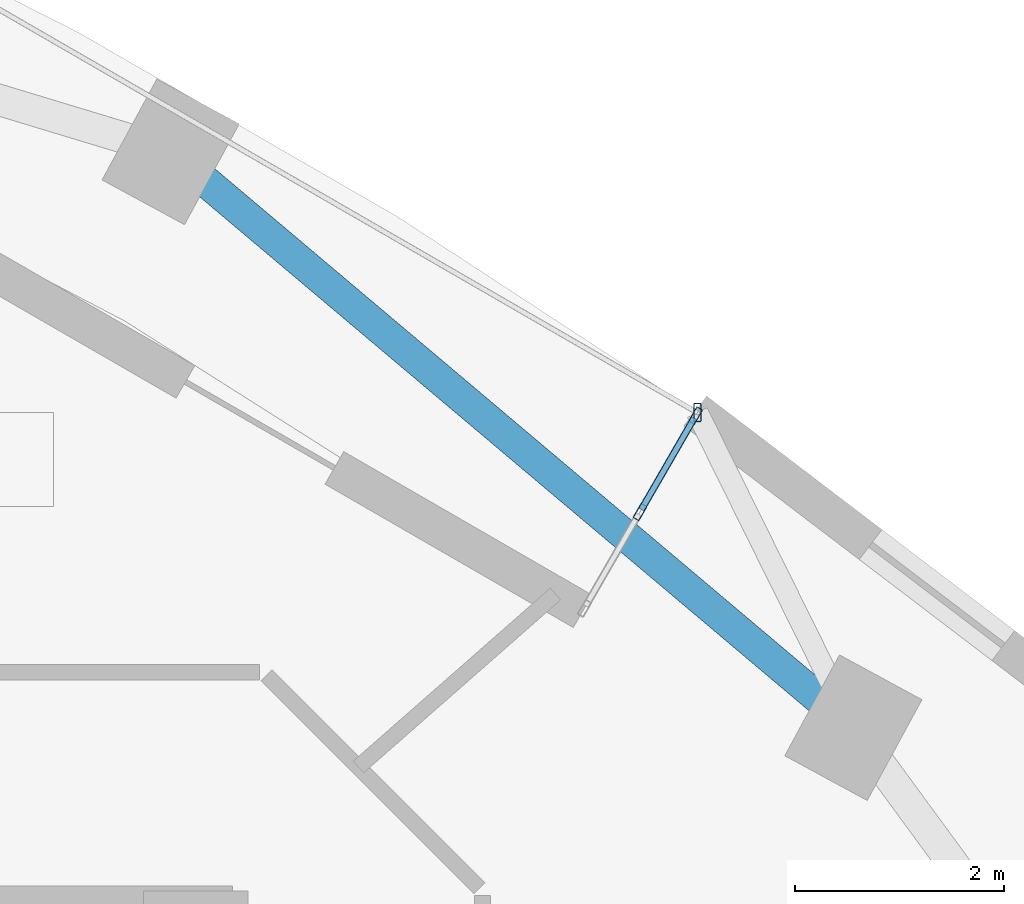
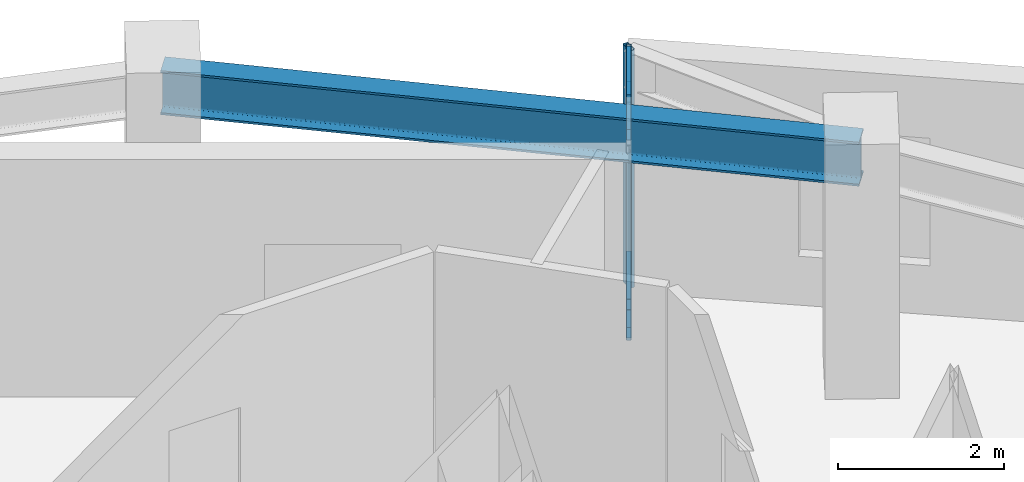
# One storey, part 5 of 14: 7 members, 1 beam, 1 element without a shape of its own.
"""IFC4 building model written with IfcOpenShell, lengths in metres."""

from ifc_helpers import new_model, si_unit, direction, frame, origin, origin_2d, place, context, subcontext, project, spatial, hollow_rectangle, i_section, extrude, material, layer, layer_set, material_profile, profile_set, type_object, element, aggregate, save


model = new_model("IFC4")

# Units and contexts
model_context = context("Model", 3, precision=1e-05, world=origin(), true_north=direction((0.0, 1.0)))
body_context = subcontext(model_context, "Body", "Model", "MODEL_VIEW")
ifc_project = project(units=[si_unit("LENGTHUNIT", "METRE"), si_unit("AREAUNIT", "SQUARE_METRE"), si_unit("VOLUMEUNIT", "CUBIC_METRE"), si_unit("PLANEANGLEUNIT", "RADIAN"), si_unit("MASSUNIT", "GRAM", prefix="KILO")], contexts=[model_context])

# Site, building, storey
site_placement = place(None, origin())
site = spatial("IfcSite", under=ifc_project, at=site_placement, CompositionType="ELEMENT")
building_placement = place(site_placement, origin())
building = spatial("IfcBuilding", under=site, at=building_placement, Name="Ndelora Gate Hotel", CompositionType="ELEMENT")
storey_placement = place(building_placement, frame((0.0, 0.0, 119.75)))
storey = spatial("IfcBuildingStorey", under=building, at=storey_placement, Name="L29", CompositionType="ELEMENT", Elevation=119.75)

# Beam
ifc_material_1 = material(Name="Steel S355", Category="steel")
ifc_material_profile_1 = material_profile(ifc_material_1, i_section(OverallWidth=0.300048828125, OverallDepth=0.64990234375, WebThickness=0.01611328125, FlangeThickness=0.031005859375, FilletRadius=0.027099609375, at=origin_2d()), Name="HEB 650")
ifc_profile_set_1 = profile_set([ifc_material_profile_1], Name="Steel S355")
beam_type = type_object("IfcBeamType", Name="BM-RING-650", PredefinedType="SPANDREL", material=ifc_profile_set_1)
beam_placement = place(storey_placement, frame((14.30712890625, 8.767333984375, 3.175048828125), z_axis=(-0.76440691948, 0.644734101356, 0.0), x_axis=(-0.644734101356, -0.76440691948, 0.0)))
element("IfcBeam", 1, at=beam_placement, inside=storey, type_object=beam_type, Name="L29 Perimeter Spandrel Girder 10", PredefinedType="SPANDREL", context=body_context, shape_type="SweptSolid", body=[
    extrude(i_section(OverallWidth=0.300048828125, OverallDepth=0.64990234375, WebThickness=0.01611328125, FlangeThickness=0.031005859375, FilletRadius=0.027099609375, at=origin_2d()), origin(), (0.0, 0.0, 1.0), 8.566162109375),
])

# Curtain wall, members
ifc_material_2 = material(Name="Bronze Anodised Unitised Aluminium and Low-E Glass", Category="aluminium")
ifc_layer = layer(ifc_material_2, 0.199951171875)
ifc_layer_set = layer_set([ifc_layer], Name="Bronze Anodised Unitised Aluminium and Low-E Glass")
curtain_wall_type = type_object("IfcCurtainWallType", Name="CW-SYS-3", PredefinedType="NOTDEFINED", material=ifc_layer_set)
curtain_wall_placement = place(storey_placement, origin())
curtain_wall = element("IfcCurtainWall", 2, at=curtain_wall_placement, inside=storey, type_object=curtain_wall_type, Name="L29 Sky-Garden Loggia Side Curtain Wall CW3-1", PredefinedType="NOTDEFINED")
ifc_material_3 = material(Name="Bronze Anodised Aluminium 6063-T6", Category="aluminium")
ifc_material_profile_2 = material_profile(ifc_material_3, hollow_rectangle(XDim=0.06494140625, YDim=0.159912109375, WallThickness=0.00390625, InnerFilletRadius=0.00390625, OuterFilletRadius=0.008056640625, at=origin_2d()), Name="ALU 160x65x4")
ifc_profile_set_2 = profile_set([ifc_material_profile_2], Name="Bronze Anodised Aluminium 6063-T6")
member_type_1 = type_object("IfcMemberType", Name="MB-CW-MUL150", PredefinedType="MULLION", material=ifc_profile_set_2)
member_1_placement = place(storey_placement, frame((12.260986328125, 10.8369140625, -0.00390625), z_axis=(0.0, 0.0, 1.0), x_axis=(-0.866019052627, 0.500011000366, 0.0)))
member_1 = element("IfcMember", 3, at=member_1_placement, type_object=member_type_1, Name="CW3 mullion 2", PredefinedType="MULLION", context=body_context, shape_type="SweptSolid", body=[
    extrude(hollow_rectangle(XDim=0.06494140625, YDim=0.159912109375, WallThickness=0.00390625, InnerFilletRadius=0.00390625, OuterFilletRadius=0.008056640625, at=origin_2d()), origin(), (0.0, 0.0, 1.0), 3.5078125),
])
member_2_placement = place(storey_placement, frame((12.794921875, 11.761474609375, -0.00390625), z_axis=(0.0, 0.0, 1.0), x_axis=(-0.866019052627, 0.500011000366, 0.0)))
member_2 = element("IfcMember", 4, at=member_2_placement, type_object=member_type_1, Name="CW3 mullion 3", PredefinedType="MULLION", context=body_context, shape_type="SweptSolid", body=[
    extrude(hollow_rectangle(XDim=0.06494140625, YDim=0.159912109375, WallThickness=0.00390625, InnerFilletRadius=0.00390625, OuterFilletRadius=0.008056640625, at=origin_2d()), origin(), (0.0, 0.0, 1.0), 3.5078125),
])
ifc_material_profile_3 = material_profile(ifc_material_3, hollow_rectangle(XDim=0.070068359375, YDim=0.179931640625, WallThickness=0.0048828125, InnerFilletRadius=0.0048828125, OuterFilletRadius=0.010009765625, at=origin_2d()), Name="ALU 180x70x5")
ifc_profile_set_3 = profile_set([ifc_material_profile_3], Name="Bronze Anodised Aluminium 6063-T6")
member_type_2 = type_object("IfcMemberType", Name="MB-CW-MUL180", PredefinedType="MULLION", material=ifc_profile_set_3)
member_3_placement = place(storey_placement, frame((12.81103515625, 11.78955078125, 0.0), z_axis=(0.0, 0.0, 1.0), x_axis=(1.0, 0.0, 0.0)))
member_3 = element("IfcMember", 5, at=member_3_placement, type_object=member_type_2, Name="L29 Sky-Garden Loggia Corner Mullion Post 1", PredefinedType="MULLION", context=body_context, shape_type="SweptSolid", body=[
    extrude(hollow_rectangle(XDim=0.070068359375, YDim=0.179931640625, WallThickness=0.0048828125, InnerFilletRadius=0.0048828125, OuterFilletRadius=0.010009765625, at=origin_2d()), origin(), (0.0, 0.0, 1.0), 3.5),
])
ifc_material_profile_4 = material_profile(ifc_material_3, hollow_rectangle(XDim=0.06494140625, YDim=0.159912109375, WallThickness=0.00390625, InnerFilletRadius=0.00390625, OuterFilletRadius=0.008056640625, at=origin_2d()), Name="ALU 160x65x4")
ifc_profile_set_4 = profile_set([ifc_material_profile_4], Name="Bronze Anodised Aluminium 6063-T6")
member_type_3 = type_object("IfcMemberType", Name="MB-CW-TRN150", PredefinedType="USERDEFINED", material=ifc_profile_set_4)
member_4_placement = place(storey_placement, frame((12.2744140625, 10.85986328125, 0.032470703125), z_axis=(0.499840506035, 0.866117468088, 0.0), x_axis=(-0.866117468088, 0.499840506035, 0.0)))
member_4 = element("IfcMember", 6, at=member_4_placement, type_object=member_type_3, Name="CW3 transom 2.1", ObjectType="TRANSOM", PredefinedType="USERDEFINED", context=body_context, shape_type="SweptSolid", body=[
    extrude(hollow_rectangle(XDim=0.06494140625, YDim=0.159912109375, WallThickness=0.00390625, InnerFilletRadius=0.00390625, OuterFilletRadius=0.008056640625, at=origin_2d()), origin(), (0.0, 0.0, 1.0), 1.014404296875),
])
member_5_placement = place(storey_placement, frame((12.2744140625, 10.85986328125, 0.449951171875), z_axis=(0.499840506035, 0.866117468088, 0.0), x_axis=(-0.866117468088, 0.499840506035, 0.0)))
member_5 = element("IfcMember", 7, at=member_5_placement, type_object=member_type_3, Name="CW3 transom 2.2", ObjectType="TRANSOM", PredefinedType="USERDEFINED", context=body_context, shape_type="SweptSolid", body=[
    extrude(hollow_rectangle(XDim=0.06494140625, YDim=0.159912109375, WallThickness=0.00390625, InnerFilletRadius=0.00390625, OuterFilletRadius=0.008056640625, at=origin_2d()), origin(), (0.0, 0.0, 1.0), 1.014404296875),
])
member_6_placement = place(storey_placement, frame((12.2744140625, 10.85986328125, 2.949951171875), z_axis=(0.499840506035, 0.866117468088, 0.0), x_axis=(-0.866117468088, 0.499840506035, 0.0)))
member_6 = element("IfcMember", 8, at=member_6_placement, type_object=member_type_3, Name="CW3 transom 2.3", ObjectType="TRANSOM", PredefinedType="USERDEFINED", context=body_context, shape_type="SweptSolid", body=[
    extrude(hollow_rectangle(XDim=0.06494140625, YDim=0.159912109375, WallThickness=0.00390625, InnerFilletRadius=0.00390625, OuterFilletRadius=0.008056640625, at=origin_2d()), origin(), (0.0, 0.0, 1.0), 1.014404296875),
])
member_7_placement = place(storey_placement, frame((12.2744140625, 10.85986328125, 3.467529296875), z_axis=(0.499840506035, 0.866117468088, 0.0), x_axis=(-0.866117468088, 0.499840506035, 0.0)))
member_7 = element("IfcMember", 9, at=member_7_placement, type_object=member_type_3, Name="CW3 transom 2.4", ObjectType="TRANSOM", PredefinedType="USERDEFINED", context=body_context, shape_type="SweptSolid", body=[
    extrude(hollow_rectangle(XDim=0.06494140625, YDim=0.159912109375, WallThickness=0.00390625, InnerFilletRadius=0.00390625, OuterFilletRadius=0.008056640625, at=origin_2d()), origin(), (0.0, 0.0, 1.0), 1.014404296875),
])
aggregate(curtain_wall, [member_1, member_2, member_4, member_5, member_6, member_7, member_3])

save(model, "model.ifc")
